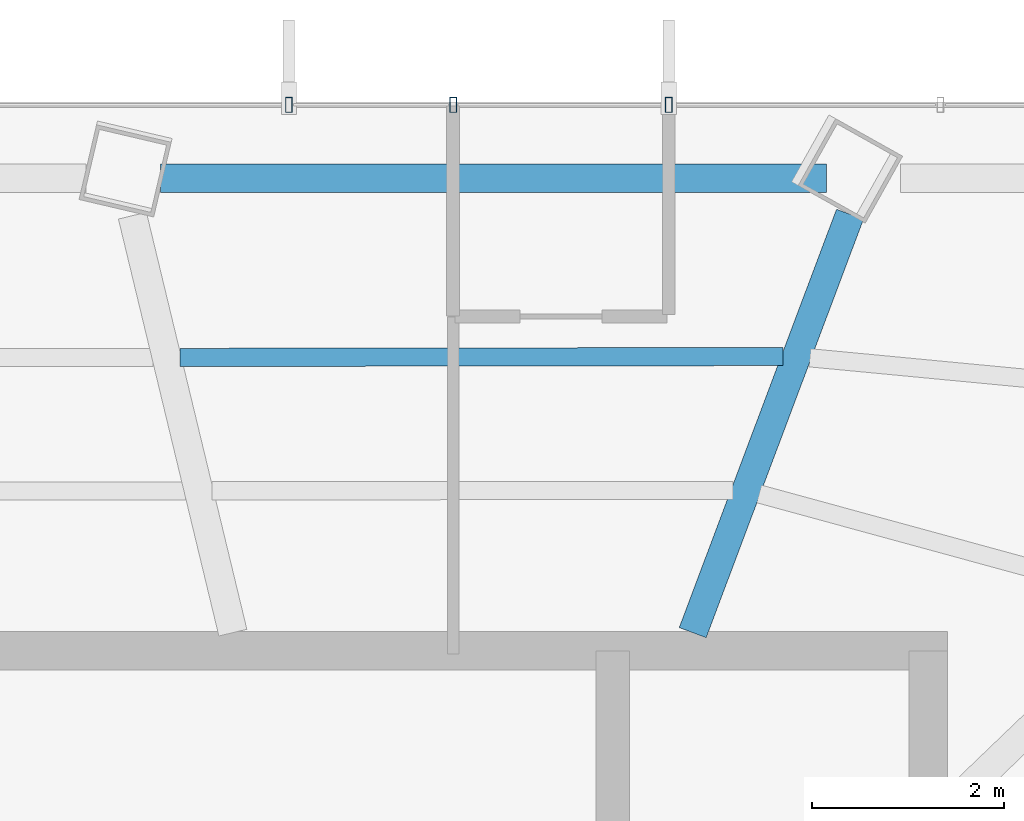
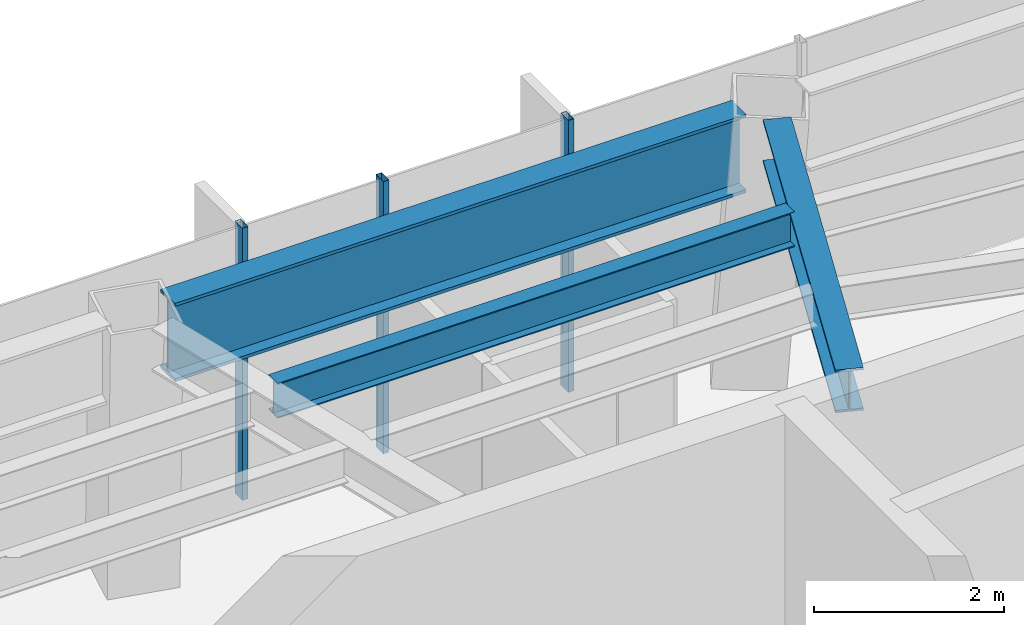
# One storey, part 16 of 29: 3 beams, 3 members, 1 element without a shape of its own.
"""IFC4 building model written with IfcOpenShell, lengths in metres."""

from ifc_helpers import new_model, si_unit, direction, frame, origin, origin_2d, place, context, subcontext, project, spatial, hollow_rectangle, i_section, extrude, material, layer, layer_set, material_profile, profile_set, type_object, element, aggregate, save


model = new_model("IFC4")

# Units and contexts
model_context = context("Model", 3, precision=1e-05, world=origin(), true_north=direction((0.0, 1.0)))
body_context = subcontext(model_context, "Body", "Model", "MODEL_VIEW")
ifc_project = project(units=[si_unit("LENGTHUNIT", "METRE"), si_unit("AREAUNIT", "SQUARE_METRE"), si_unit("VOLUMEUNIT", "CUBIC_METRE"), si_unit("PLANEANGLEUNIT", "RADIAN"), si_unit("MASSUNIT", "GRAM", prefix="KILO")], contexts=[model_context])

# Site, building, storey
site_placement = place(None, origin())
site = spatial("IfcSite", under=ifc_project, at=site_placement, CompositionType="ELEMENT")
building_placement = place(site_placement, origin())
building = spatial("IfcBuilding", under=site, at=building_placement, Name="Zarrinselat Tower", CompositionType="ELEMENT")
storey_placement = place(building_placement, frame((0.0, 0.0, 142.1201171875)))
storey = spatial("IfcBuildingStorey", under=building, at=storey_placement, Name="L34", CompositionType="ELEMENT", Elevation=142.1201171875)

# Beams
ifc_material_1 = material(Name="Steel S355J2", Category="steel")
ifc_material_profile_1 = material_profile(ifc_material_1, i_section(OverallWidth=0.300048828125, OverallDepth=0.550048828125, WebThickness=0.014892578125, FlangeThickness=0.029052734375, at=origin_2d()), Name="HEB 550")
ifc_profile_set_1 = profile_set([ifc_material_profile_1], Name="Steel S355J2")
beam_type_1 = type_object("IfcBeamType", Name="BM-HEB550", PredefinedType="BEAM", material=ifc_profile_set_1)
beam_1_placement = place(storey_placement, frame((45.800048828125, 43.639892578125, 3.224853515625), z_axis=(0.351903216309, 0.936036391574, 0.0), x_axis=(-0.936036391574, 0.351903216309, 0.0)))
element("IfcBeam", 1, at=beam_1_placement, inside=storey, type_object=beam_type_1, Name="L34 Radial Primary Girder RG02", PredefinedType="BEAM", context=body_context, shape_type="SweptSolid", body=[
    extrude(i_section(OverallWidth=0.300048828125, OverallDepth=0.550048828125, WebThickness=0.014892578125, FlangeThickness=0.029052734375, at=origin_2d()), origin(), (0.0, 0.0, 1.0), 4.66552734375),
])
ifc_material_2 = material(Name="Steel S460M", Category="steel")
ifc_material_profile_2 = material_profile(ifc_material_2, i_section(OverallWidth=0.302001953125, OverallDepth=1.008056640625, WebThickness=0.02099609375, FlangeThickness=0.0400390625, at=origin_2d()), Name="HEM 1000")
ifc_profile_set_2 = profile_set([ifc_material_profile_2], Name="Steel S460M")
beam_type_2 = type_object("IfcBeamType", Name="BM-HEM1000", PredefinedType="BEAM", material=ifc_profile_set_2)
beam_2_placement = place(storey_placement, frame((40.245361328125, 48.38330078125, 2.995849609375), z_axis=(1.0, 0.0, 0.0), x_axis=(0.0, 1.0, 0.0)))
element("IfcBeam", 2, at=beam_2_placement, inside=storey, type_object=beam_type_2, Name="L34 Perimeter Spandrel Girder SP02", PredefinedType="BEAM", context=body_context, shape_type="SweptSolid", body=[
    extrude(i_section(OverallWidth=0.302001953125, OverallDepth=1.008056640625, WebThickness=0.02099609375, FlangeThickness=0.0400390625, at=origin_2d()), origin(), (0.0, 0.0, 1.0), 6.9501953125),
])
ifc_material_3 = material(Name="Steel S355J2", Category="steel")
ifc_material_profile_3 = material_profile(ifc_material_3, i_section(OverallWidth=0.18994140625, OverallDepth=0.449951171875, WebThickness=0.009521484375, FlangeThickness=0.0146484375, at=origin_2d()), Name="IPE 450")
ifc_profile_set_3 = profile_set([ifc_material_profile_3], Name="Steel S355J2")
beam_type_3 = type_object("IfcBeamType", Name="BM-IPE450", PredefinedType="JOIST", material=ifc_profile_set_3)
beam_3_placement = place(storey_placement, frame((40.447998046875, 46.512939453125, 3.27490234375), z_axis=(0.999998970631, 0.001434830027, 0.0), x_axis=(-0.001434830027, 0.999998970631, 0.0)))
element("IfcBeam", 3, at=beam_3_placement, inside=storey, type_object=beam_type_3, Name="L34 Composite Floor Joist 7-1", PredefinedType="JOIST", context=body_context, shape_type="SweptSolid", body=[
    extrude(i_section(OverallWidth=0.18994140625, OverallDepth=0.449951171875, WebThickness=0.009521484375, FlangeThickness=0.0146484375, at=origin_2d()), origin(), (0.0, 0.0, 1.0), 6.295654296875),
])

# Curtain wall, members
ifc_material_4 = material(Name="Extruded Aluminium Alloy EN AW-6063 T6", Category="aluminium")
ifc_layer = layer(ifc_material_4, 0.175048828125)
ifc_layer_set = layer_set([ifc_layer], Name="Extruded Aluminium Alloy EN AW-6063 T6")
curtain_wall_type = type_object("IfcCurtainWallType", Name="CWS-HTL", PredefinedType="NOTDEFINED", material=ifc_layer_set)
curtain_wall_placement = place(storey_placement, origin())
curtain_wall = element("IfcCurtainWall", 4, at=curtain_wall_placement, inside=storey, type_object=curtain_wall_type, Name="L34 Unitised Curtain Wall CW-L34-E01", PredefinedType="NOTDEFINED")
ifc_material_5 = material(Name="Extruded Aluminium Alloy EN AW-6063 T6", Category="aluminium")
ifc_material_profile_4 = material_profile(ifc_material_5, hollow_rectangle(XDim=0.070068359375, YDim=0.159912109375, WallThickness=0.00390625, at=origin_2d()), Name="RHS 160x70x4")
ifc_profile_set_4 = profile_set([ifc_material_profile_4], Name="Extruded Aluminium Alloy EN AW-6063 T6")
member_type = type_object("IfcMemberType", Name="MEM-CW-MUL2", PredefinedType="MULLION", material=ifc_profile_set_4)
member_1_placement = place(storey_placement, frame((45.550048828125, 49.14990234375, 0.0), z_axis=(0.0, 0.0, 1.0), x_axis=(-1.0, 0.0, 0.0)))
member_1 = element("IfcMember", 5, at=member_1_placement, type_object=member_type, Name="CW-L34-E01 Mullion 3", PredefinedType="MULLION", context=body_context, shape_type="SweptSolid", body=[
    extrude(hollow_rectangle(XDim=0.070068359375, YDim=0.159912109375, WallThickness=0.00390625, at=origin_2d()), origin(), (0.0, 0.0, 1.0), 3.5),
])
member_2_placement = place(storey_placement, frame((43.300048828125, 49.14990234375, 0.0), z_axis=(0.0, 0.0, 1.0), x_axis=(-1.0, 0.0, 0.0)))
member_2 = element("IfcMember", 6, at=member_2_placement, type_object=member_type, Name="CW-L34-E01 Mullion 4", PredefinedType="MULLION", context=body_context, shape_type="SweptSolid", body=[
    extrude(hollow_rectangle(XDim=0.070068359375, YDim=0.159912109375, WallThickness=0.00390625, at=origin_2d()), origin(), (0.0, 0.0, 1.0), 3.5),
])
member_3_placement = place(storey_placement, frame((41.585205078125, 49.14990234375, 0.0), z_axis=(0.0, 0.0, 1.0), x_axis=(-1.0, 0.0, 0.0)))
member_3 = element("IfcMember", 7, at=member_3_placement, type_object=member_type, Name="CW-L34-E01 Mullion 5", PredefinedType="MULLION", context=body_context, shape_type="SweptSolid", body=[
    extrude(hollow_rectangle(XDim=0.070068359375, YDim=0.159912109375, WallThickness=0.00390625, at=origin_2d()), origin(), (0.0, 0.0, 1.0), 3.5),
])
aggregate(curtain_wall, [member_1, member_2, member_3])

save(model, "model.ifc")
